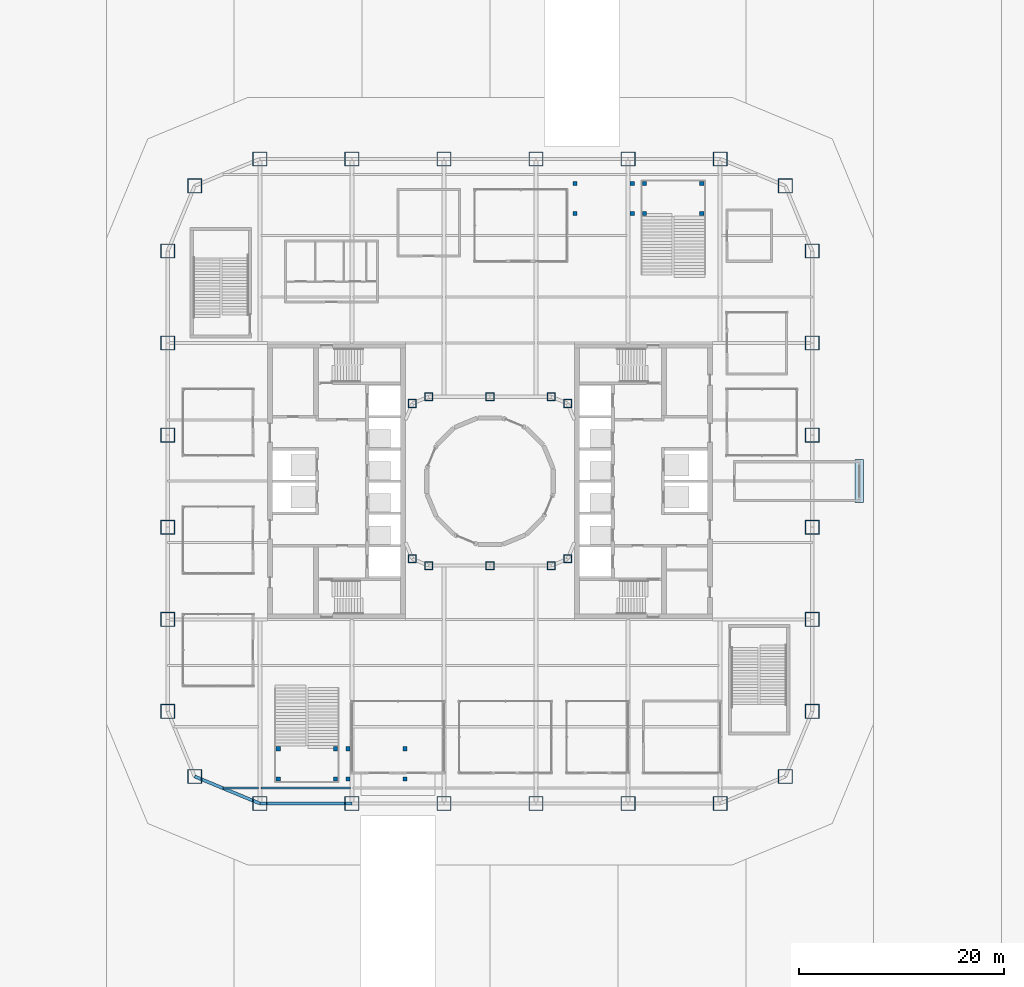
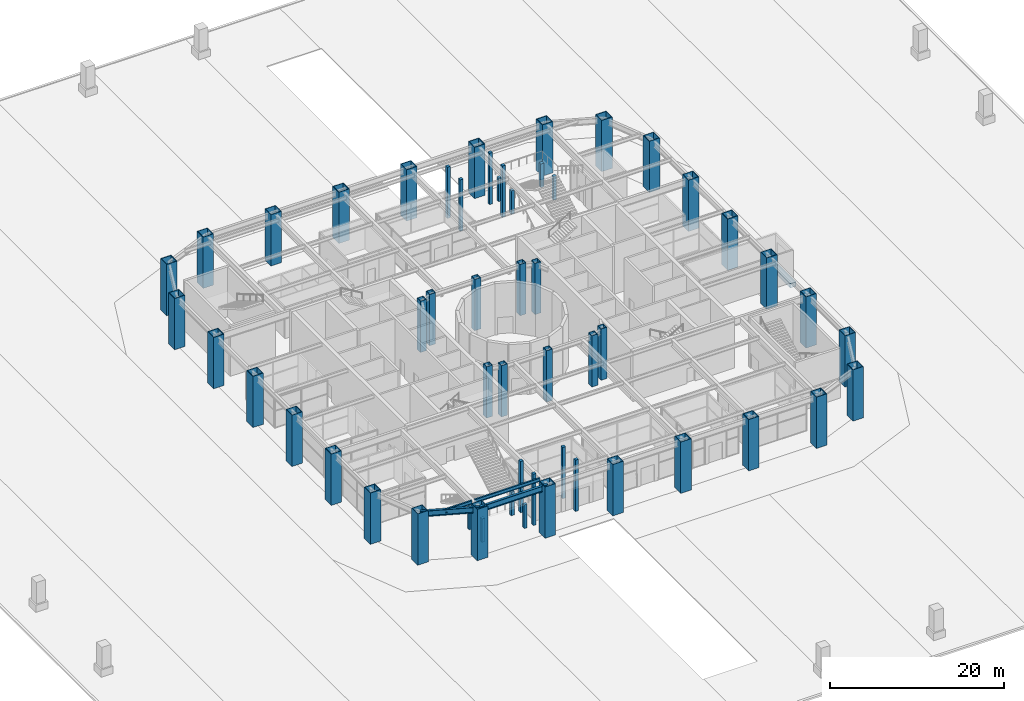
# One storey, part 1 of 20: 54 columns, 4 beams, 1 footing.
"""IFC4 building model written with IfcOpenShell, lengths in metres."""

from ifc_helpers import new_model, si_unit, direction, frame, origin, origin_2d, place, context, subcontext, project, spatial, polyline, rectangle, hollow_rectangle, i_section, outline, extrude, material, layer, layer_set, material_profile, profile_set, type_object, element, save


model = new_model("IFC4")

# Units and contexts
model_context = context("Model", 3, precision=1e-05, world=origin(), true_north=direction((0.0, 1.0)))
body_context = subcontext(model_context, "Body", "Model", "MODEL_VIEW")
ifc_project = project(units=[si_unit("LENGTHUNIT", "METRE"), si_unit("AREAUNIT", "SQUARE_METRE"), si_unit("VOLUMEUNIT", "CUBIC_METRE"), si_unit("PLANEANGLEUNIT", "RADIAN"), si_unit("MASSUNIT", "GRAM", prefix="KILO")], contexts=[model_context])

# Site, building, storey
site_placement = place(None, origin())
site = spatial("IfcSite", under=ifc_project, at=site_placement, CompositionType="ELEMENT")
building_placement = place(site_placement, origin())
building = spatial("IfcBuilding", under=site, at=building_placement, Name="Siwar Civic Tower", CompositionType="ELEMENT")
storey_placement = place(building_placement, origin())
storey = spatial("IfcBuildingStorey", under=building, at=storey_placement, Name="L00", CompositionType="ELEMENT", Elevation=0.0)

# Footing
ifc_material_1 = material(Name="Concrete C40/50", Category="concrete")
ifc_layer = layer(ifc_material_1, 0.60009765625)
ifc_layer_set = layer_set([ifc_layer], Name="Concrete C40/50")
footing_type = type_object("IfcFootingType", Name="GND-DOCKFOOTING", PredefinedType="STRIP_FOOTING", material=ifc_layer_set)
footing_placement = place(storey_placement, frame((0.0, 0.0, -0.60009765625)))
element("IfcFooting", 1, at=footing_placement, inside=storey, type_object=footing_type, Name="Loading bay footing", PredefinedType="STRIP_FOOTING", context=body_context, shape_type="SweptSolid", body=[
    extrude(outline(polyline([(35.699951171875, -2.10009765625), (36.5, -2.10009765625), (36.5, 2.10009765625), (35.699951171875, 2.10009765625), (35.699951171875, -2.10009765625)])), origin(), (0.0, 0.0, 1.0), 0.60009765625),
])

# Columns
ifc_material_2 = material(Name="Concrete C50/60", Category="concrete")
ifc_material_profile_1 = material_profile(ifc_material_2, rectangle(XDim=0.39990234375, YDim=0.39990234375, at=origin_2d()), Name="RC400x400")
ifc_profile_set_1 = profile_set([ifc_material_profile_1], Name="Concrete C50/60")
column_type_1 = type_object("IfcColumnType", Name="GND-GS-COLUMN", PredefinedType="COLUMN", material=ifc_profile_set_1)
for number, where, z_axis, x_axis, name in (
    (2, (-20.699951171875, -29.10009765625, 0.0), (0.0, 0.0, 1.0), (1.0, 0.0, 0.0), "L00/col/GS1-0-ao"),
    (3, (-20.699951171875, -26.14990234375, 0.0), (0.0, 0.0, 1.0), (1.0, 0.0, 0.0), "L00/col/GS1-0-ai"),
    (4, (-15.10009765625, -29.10009765625, 0.0), (0.0, 0.0, 1.0), (1.0, 0.0, 0.0), "L00/col/GS1-0-bo"),
    (5, (-15.10009765625, -26.14990234375, 0.0), (0.0, 0.0, 1.0), (1.0, 0.0, 0.0), "L00/col/GS1-0-bi"),
):
    element("IfcColumn", number, at=place(storey_placement, frame(where, z_axis=z_axis, x_axis=x_axis)), inside=storey, type_object=column_type_1, Name=name, PredefinedType="COLUMN", context=body_context, shape_type="SweptSolid", body=[
        extrude(rectangle(XDim=0.39990234375, YDim=0.39990234375, at=origin_2d()), origin(), (0.0, 0.0, 1.0), 3.300048828125),
    ])
for number, where, z_axis, x_axis, name in (
    (6, (-13.89990234375, -29.10009765625, 0.0), (0.0, 0.0, 1.0), (1.0, 0.0, 0.0), "L00/col/GS1-1-ao"),
    (7, (-13.89990234375, -26.14990234375, 0.0), (0.0, 0.0, 1.0), (1.0, 0.0, 0.0), "L00/col/GS1-1-ai"),
    (8, (-8.300048828125, -29.10009765625, 0.0), (0.0, 0.0, 1.0), (1.0, 0.0, 0.0), "L00/col/GS1-1-bo"),
    (9, (-8.300048828125, -26.14990234375, 0.0), (0.0, 0.0, 1.0), (1.0, 0.0, 0.0), "L00/col/GS1-1-bi"),
):
    element("IfcColumn", number, at=place(storey_placement, frame(where, z_axis=z_axis, x_axis=x_axis)), inside=storey, type_object=column_type_1, Name=name, PredefinedType="COLUMN", context=body_context, shape_type="SweptSolid", body=[
        extrude(rectangle(XDim=0.39990234375, YDim=0.39990234375, at=origin_2d()), origin(), (0.0, 0.0, 1.0), 7.199951171875),
    ])
for number, where, z_axis, x_axis, name in (
    (10, (15.10009765625, 29.10009765625, 0.0), (0.0, 0.0, 1.0), (1.0, 0.0, 0.0), "L00/col/GS2-0-ao"),
    (11, (15.10009765625, 26.14990234375, 0.0), (0.0, 0.0, 1.0), (1.0, 0.0, 0.0), "L00/col/GS2-0-ai"),
    (12, (20.699951171875, 29.10009765625, 0.0), (0.0, 0.0, 1.0), (1.0, 0.0, 0.0), "L00/col/GS2-0-bo"),
    (13, (20.699951171875, 26.14990234375, 0.0), (0.0, 0.0, 1.0), (1.0, 0.0, 0.0), "L00/col/GS2-0-bi"),
):
    element("IfcColumn", number, at=place(storey_placement, frame(where, z_axis=z_axis, x_axis=x_axis)), inside=storey, type_object=column_type_1, Name=name, PredefinedType="COLUMN", context=body_context, shape_type="SweptSolid", body=[
        extrude(rectangle(XDim=0.39990234375, YDim=0.39990234375, at=origin_2d()), origin(), (0.0, 0.0, 1.0), 3.300048828125),
    ])
for number, where, z_axis, x_axis, name in (
    (14, (8.300048828125, 29.10009765625, 0.0), (0.0, 0.0, 1.0), (1.0, 0.0, 0.0), "L00/col/GS2-1-ao"),
    (15, (8.300048828125, 26.14990234375, 0.0), (0.0, 0.0, 1.0), (1.0, 0.0, 0.0), "L00/col/GS2-1-ai"),
    (16, (13.89990234375, 29.10009765625, 0.0), (0.0, 0.0, 1.0), (1.0, 0.0, 0.0), "L00/col/GS2-1-bo"),
    (17, (13.89990234375, 26.14990234375, 0.0), (0.0, 0.0, 1.0), (1.0, 0.0, 0.0), "L00/col/GS2-1-bi"),
):
    element("IfcColumn", number, at=place(storey_placement, frame(where, z_axis=z_axis, x_axis=x_axis)), inside=storey, type_object=column_type_1, Name=name, PredefinedType="COLUMN", context=body_context, shape_type="SweptSolid", body=[
        extrude(rectangle(XDim=0.39990234375, YDim=0.39990234375, at=origin_2d()), origin(), (0.0, 0.0, 1.0), 7.199951171875),
    ])
ifc_material_3 = material(Name="Steel S460", Category="steel")
ifc_material_profile_2 = material_profile(ifc_material_3, hollow_rectangle(XDim=1.39990234375, YDim=1.39990234375, WallThickness=0.070068359375, at=origin_2d()), Name="BOX1400x1400x70")
ifc_profile_set_2 = profile_set([ifc_material_profile_2], Name="Steel S460")
column_type_2 = type_object("IfcColumnType", Name="STR-COL-BOX1400x1400x70", PredefinedType="COLUMN", material=ifc_profile_set_2)
for number, where, z_axis, x_axis, name in (
    (18, (-22.5, -31.5, 0.0), (0.0, 0.0, 1.0), (1.0, 0.0, 0.0), "L00/col/S-0"),
    (19, (-13.5, -31.5, 0.0), (0.0, 0.0, 1.0), (1.0, 0.0, 0.0), "L00/col/S-1"),
    (20, (-4.5, -31.5, 0.0), (0.0, 0.0, 1.0), (1.0, 0.0, 0.0), "L00/col/S-2"),
    (21, (4.5, -31.5, 0.0), (0.0, 0.0, 1.0), (1.0, 0.0, 0.0), "L00/col/S-3"),
    (22, (13.5, -31.5, 0.0), (0.0, 0.0, 1.0), (1.0, 0.0, 0.0), "L00/col/S-4"),
    (23, (22.5, -31.5, 0.0), (0.0, 0.0, 1.0), (1.0, 0.0, 0.0), "L00/col/SE1-0"),
    (24, (28.864013671875, -28.864013671875, 0.0), (0.0, 0.0, 1.0), (1.0, 0.0, 0.0), "L00/col/SE2-0"),
    (25, (31.5, -22.5, 0.0), (0.0, 0.0, 1.0), (1.0, 0.0, 0.0), "L00/col/E-0"),
    (26, (31.5, -13.5, 0.0), (0.0, 0.0, 1.0), (1.0, 0.0, 0.0), "L00/col/E-1"),
    (27, (31.5, -4.5, 0.0), (0.0, 0.0, 1.0), (1.0, 0.0, 0.0), "L00/col/E-2"),
    (28, (31.5, 4.5, 0.0), (0.0, 0.0, 1.0), (1.0, 0.0, 0.0), "L00/col/E-3"),
    (29, (31.5, 13.5, 0.0), (0.0, 0.0, 1.0), (1.0, 0.0, 0.0), "L00/col/E-4"),
    (30, (31.5, 22.5, 0.0), (0.0, 0.0, 1.0), (1.0, 0.0, 0.0), "L00/col/NE1-0"),
    (31, (28.864013671875, 28.864013671875, 0.0), (0.0, 0.0, 1.0), (1.0, 0.0, 0.0), "L00/col/NE2-0"),
    (32, (22.5, 31.5, 0.0), (0.0, 0.0, 1.0), (1.0, 0.0, 0.0), "L00/col/N-0"),
    (33, (13.5, 31.5, 0.0), (0.0, 0.0, 1.0), (1.0, 0.0, 0.0), "L00/col/N-1"),
    (34, (4.5, 31.5, 0.0), (0.0, 0.0, 1.0), (1.0, 0.0, 0.0), "L00/col/N-2"),
    (35, (-4.5, 31.5, 0.0), (0.0, 0.0, 1.0), (1.0, 0.0, 0.0), "L00/col/N-3"),
    (36, (-13.5, 31.5, 0.0), (0.0, 0.0, 1.0), (1.0, 0.0, 0.0), "L00/col/N-4"),
    (37, (-22.5, 31.5, 0.0), (0.0, 0.0, 1.0), (1.0, 0.0, 0.0), "L00/col/NW1-0"),
    (38, (-28.864013671875, 28.864013671875, 0.0), (0.0, 0.0, 1.0), (1.0, 0.0, 0.0), "L00/col/NW2-0"),
    (39, (-31.5, 22.5, 0.0), (0.0, 0.0, 1.0), (1.0, 0.0, 0.0), "L00/col/W-0"),
    (40, (-31.5, 13.5, 0.0), (0.0, 0.0, 1.0), (1.0, 0.0, 0.0), "L00/col/W-1"),
    (41, (-31.5, 4.5, 0.0), (0.0, 0.0, 1.0), (1.0, 0.0, 0.0), "L00/col/W-2"),
    (42, (-31.5, -4.5, 0.0), (0.0, 0.0, 1.0), (1.0, 0.0, 0.0), "L00/col/W-3"),
    (43, (-31.5, -13.5, 0.0), (0.0, 0.0, 1.0), (1.0, 0.0, 0.0), "L00/col/W-4"),
    (44, (-31.5, -22.5, 0.0), (0.0, 0.0, 1.0), (1.0, 0.0, 0.0), "L00/col/SW1-0"),
    (45, (-28.864013671875, -28.864013671875, 0.0), (0.0, 0.0, 1.0), (1.0, 0.0, 0.0), "L00/col/SW2-0"),
):
    element("IfcColumn", number, at=place(storey_placement, frame(where, z_axis=z_axis, x_axis=x_axis)), inside=storey, type_object=column_type_2, Name=name, PredefinedType="COLUMN", context=body_context, shape_type="SweptSolid", body=[
        extrude(hollow_rectangle(XDim=1.39990234375, YDim=1.39990234375, WallThickness=0.070068359375, at=origin_2d()), origin(), (0.0, 0.0, 1.0), 7.199951171875),
    ])
ifc_material_4 = material(Name="Steel S355", Category="steel")
ifc_material_profile_3 = material_profile(ifc_material_4, hollow_rectangle(XDim=0.800048828125, YDim=0.800048828125, WallThickness=0.050048828125, at=origin_2d()), Name="BOX800x800x50")
ifc_profile_set_3 = profile_set([ifc_material_profile_3], Name="Steel S355")
column_type_3 = type_object("IfcColumnType", Name="STR-ICOL-BOX800x800x50", PredefinedType="COLUMN", material=ifc_profile_set_3)
for number, where, z_axis, x_axis, name in (
    (46, (-7.591064453125, -7.591064453125, 0.0), (0.0, 0.0, 1.0), (1.0, 0.0, 0.0), "L00/col/IS-0"),
    (47, (-6.0, -8.25, 0.0), (0.0, 0.0, 1.0), (1.0, 0.0, 0.0), "L00/col/IS-1"),
    (48, (0.0, -8.25, 0.0), (0.0, 0.0, 1.0), (1.0, 0.0, 0.0), "L00/col/IS-2"),
    (49, (6.0, -8.25, 0.0), (0.0, 0.0, 1.0), (1.0, 0.0, 0.0), "L00/col/IS-3"),
    (50, (7.591064453125, -7.591064453125, 0.0), (0.0, 0.0, 1.0), (1.0, 0.0, 0.0), "L00/col/IS-4"),
    (51, (-7.591064453125, 7.591064453125, 0.0), (0.0, 0.0, 1.0), (1.0, 0.0, 0.0), "L00/col/IN-0"),
    (52, (-6.0, 8.25, 0.0), (0.0, 0.0, 1.0), (1.0, 0.0, 0.0), "L00/col/IN-1"),
    (53, (0.0, 8.25, 0.0), (0.0, 0.0, 1.0), (1.0, 0.0, 0.0), "L00/col/IN-2"),
    (54, (6.0, 8.25, 0.0), (0.0, 0.0, 1.0), (1.0, 0.0, 0.0), "L00/col/IN-3"),
    (55, (7.591064453125, 7.591064453125, 0.0), (0.0, 0.0, 1.0), (1.0, 0.0, 0.0), "L00/col/IN-4"),
):
    element("IfcColumn", number, at=place(storey_placement, frame(where, z_axis=z_axis, x_axis=x_axis)), inside=storey, type_object=column_type_3, Name=name, PredefinedType="COLUMN", context=body_context, shape_type="SweptSolid", body=[
        extrude(hollow_rectangle(XDim=0.800048828125, YDim=0.800048828125, WallThickness=0.050048828125, at=origin_2d()), origin(), (0.0, 0.0, 1.0), 7.199951171875),
    ])

# Beams
ifc_material_5 = material(Name="Steel S355", Category="steel")
ifc_material_profile_4 = material_profile(ifc_material_5, i_section(OverallWidth=0.199951171875, OverallDepth=0.5, WebThickness=0.01025390625, FlangeThickness=0.01611328125, FilletRadius=0.02099609375, at=origin_2d()), Name="IPE500")
ifc_profile_set_4 = profile_set([ifc_material_profile_4], Name="Steel S355")
beam_type_1 = type_object("IfcBeamType", Name="STR-FB-IPE500", PredefinedType="JOIST", material=ifc_profile_set_4)
beam_1_placement = place(storey_placement, frame((-26.121337890625, -30.0, 6.75), z_axis=(1.0, 0.0, 0.0), x_axis=(0.0, 1.0, 0.0)))
element("IfcBeam", 56, at=beam_1_placement, inside=storey, type_object=beam_type_1, Name="L00/bm/F001", PredefinedType="JOIST", context=body_context, shape_type="SweptSolid", body=[
    extrude(i_section(OverallWidth=0.199951171875, OverallDepth=0.5, WebThickness=0.01025390625, FlangeThickness=0.01611328125, FilletRadius=0.02099609375, at=origin_2d()), origin(), (0.0, 0.0, 1.0), 3.491455078125),
])
beam_2_placement = place(storey_placement, frame((-22.3701171875, -30.0, 6.75), z_axis=(1.0, 0.0, 0.0), x_axis=(0.0, 1.0, 0.0)))
element("IfcBeam", 57, at=beam_2_placement, inside=storey, type_object=beam_type_1, Name="L00/bm/F002", PredefinedType="JOIST", context=body_context, shape_type="SweptSolid", body=[
    extrude(i_section(OverallWidth=0.199951171875, OverallDepth=0.5, WebThickness=0.01025390625, FlangeThickness=0.01611328125, FilletRadius=0.02099609375, at=origin_2d()), origin(), (0.0, 0.0, 1.0), 8.740234375),
])
ifc_material_6 = material(Name="Steel S355", Category="steel")
ifc_material_profile_5 = material_profile(ifc_material_6, i_section(OverallWidth=0.302978515625, OverallDepth=0.81396484375, WebThickness=0.02099609375, FlangeThickness=0.0400390625, FilletRadius=0.030029296875, at=origin_2d()), Name="HEM800")
ifc_profile_set_5 = profile_set([ifc_material_profile_5], Name="Steel S355")
beam_type_2 = type_object("IfcBeamType", Name="STR-SB-HEM800", PredefinedType="BEAM", material=ifc_profile_set_5)
beam_3_placement = place(storey_placement, frame((-22.5, -31.5, 6.593017578125), z_axis=(1.0, 0.0, 0.0), x_axis=(0.0, 1.0, 0.0)))
element("IfcBeam", 58, at=beam_3_placement, inside=storey, type_object=beam_type_2, Name="L00/bm/SS-0", PredefinedType="BEAM", context=body_context, shape_type="SweptSolid", body=[
    extrude(i_section(OverallWidth=0.302978515625, OverallDepth=0.81396484375, WebThickness=0.02099609375, FlangeThickness=0.0400390625, FilletRadius=0.030029296875, at=origin_2d()), origin(), (0.0, 0.0, 1.0), 9.0),
])
beam_4_placement = place(storey_placement, frame((-28.864013671875, -28.864013671875, 6.593017578125), z_axis=(0.923883353507, -0.382674207535, 0.0), x_axis=(0.382674207535, 0.923883353507, 0.0)))
element("IfcBeam", 59, at=beam_4_placement, inside=storey, type_object=beam_type_2, Name="L00/bm/SSW2-0", PredefinedType="BEAM", context=body_context, shape_type="SweptSolid", body=[
    extrude(i_section(OverallWidth=0.302978515625, OverallDepth=0.81396484375, WebThickness=0.02099609375, FlangeThickness=0.0400390625, FilletRadius=0.030029296875, at=origin_2d()), origin(), (0.0, 0.0, 1.0), 6.888427734375),
])

save(model, "model.ifc")
